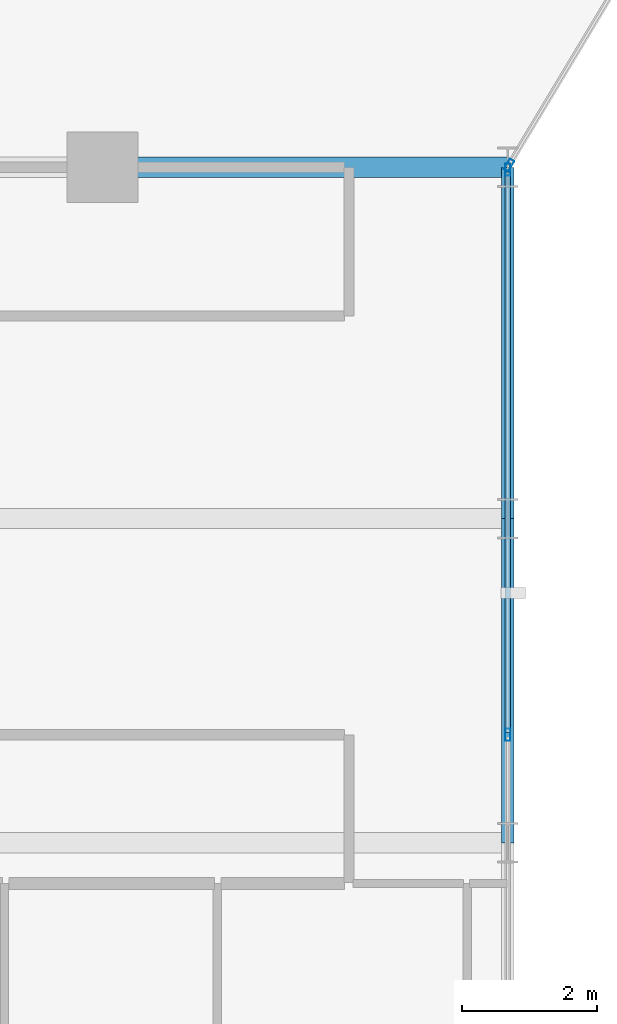
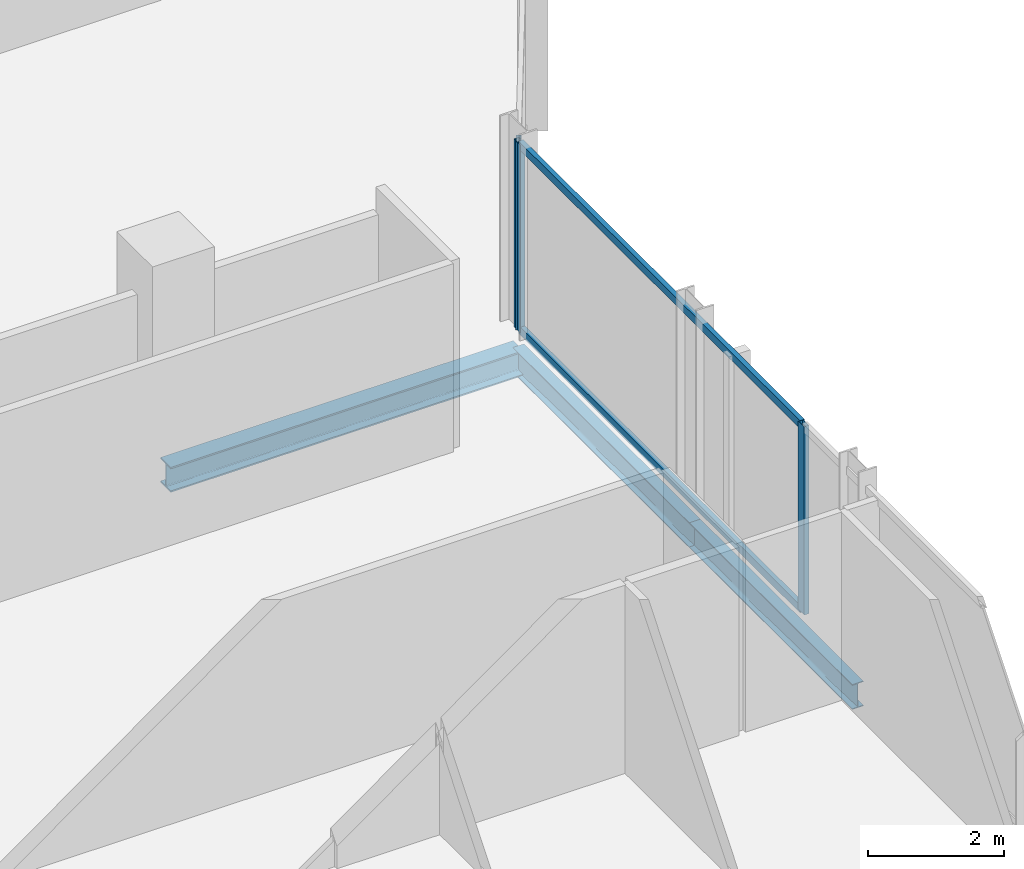
# One storey, part 12 of 29: 5 members, 3 beams, 2 elements without a shape of their own.
"""IFC4 building model written with IfcOpenShell, lengths in metres."""

from ifc_helpers import new_model, si_unit, direction, frame, origin, origin_2d, place, context, subcontext, project, spatial, hollow_rectangle, i_section, extrude, material, layer, layer_set, material_profile, profile_set, type_object, element, aggregate, save


model = new_model("IFC4")

# Units and contexts
model_context = context("Model", 3, precision=1e-05, world=origin(), true_north=direction((0.0, 1.0)))
body_context = subcontext(model_context, "Body", "Model", "MODEL_VIEW")
ifc_project = project(units=[si_unit("LENGTHUNIT", "METRE"), si_unit("AREAUNIT", "SQUARE_METRE"), si_unit("VOLUMEUNIT", "CUBIC_METRE"), si_unit("PLANEANGLEUNIT", "RADIAN"), si_unit("MASSUNIT", "GRAM", prefix="KILO")], contexts=[model_context])

# Site, building, storey
site_placement = place(None, origin())
site = spatial("IfcSite", under=ifc_project, at=site_placement, CompositionType="ELEMENT")
building_placement = place(site_placement, origin())
building = spatial("IfcBuilding", under=site, at=building_placement, Name="Keshet Zoharim Tower", CompositionType="ELEMENT")
storey_placement = place(building_placement, frame((0.0, 0.0, 94.60009765625)))
storey = spatial("IfcBuildingStorey", under=building, at=storey_placement, Name="L22", CompositionType="ELEMENT", Elevation=94.60009765625)

# Beams
ifc_material_1 = material(Name="Steel S355", Category="steel")
ifc_material_profile_1 = material_profile(ifc_material_1, i_section(OverallWidth=0.18994140625, OverallDepth=0.449951171875, WebThickness=0.009521484375, FlangeThickness=0.0146484375, FilletRadius=0.02099609375, at=origin_2d()), Name="IPE450")
ifc_profile_set_1 = profile_set([ifc_material_profile_1], Name="Steel S355")
beam_type_1 = type_object("IfcBeamType", Name="BM-PRI-IP450", PredefinedType="BEAM", material=ifc_profile_set_1)
beam_1_placement = place(storey_placement, frame((57.0, 17.89990234375, -0.5400390625), z_axis=(0.0, 1.0, 0.0), x_axis=(-1.0, 0.0, 0.0)))
element("IfcBeam", 1, at=beam_1_placement, inside=storey, type_object=beam_type_1, Name="L22 Primary Girder Y-015", PredefinedType="BEAM", context=body_context, shape_type="SweptSolid", body=[
    extrude(i_section(OverallWidth=0.18994140625, OverallDepth=0.449951171875, WebThickness=0.009521484375, FlangeThickness=0.0146484375, FilletRadius=0.02099609375, at=origin_2d()), origin(), (0.0, 0.0, 1.0), 4.800048828125),
])
beam_2_placement = place(storey_placement, frame((57.0, 22.699951171875, -0.5400390625), z_axis=(0.0, 1.0, 0.0), x_axis=(-1.0, 0.0, 0.0)))
element("IfcBeam", 2, at=beam_2_placement, inside=storey, type_object=beam_type_1, Name="L22 Primary Girder Y-016", PredefinedType="BEAM", context=body_context, shape_type="SweptSolid", body=[
    extrude(i_section(OverallWidth=0.18994140625, OverallDepth=0.449951171875, WebThickness=0.009521484375, FlangeThickness=0.0146484375, FilletRadius=0.02099609375, at=origin_2d()), origin(), (0.0, 0.0, 1.0), 5.199951171875),
])
ifc_material_profile_2 = material_profile(ifc_material_1, i_section(OverallWidth=0.300048828125, OverallDepth=0.449951171875, WebThickness=0.013916015625, FlangeThickness=0.02587890625, FilletRadius=0.027099609375, at=origin_2d()), Name="HEB450")
ifc_profile_set_2 = profile_set([ifc_material_profile_2], Name="Steel S355")
beam_type_2 = type_object("IfcBeamType", Name="BM-WEB-HB450", PredefinedType="BEAM", material=ifc_profile_set_2)
beam_3_placement = place(storey_placement, frame((51.0, 27.89990234375, -0.5400390625), z_axis=(1.0, 0.0, 0.0), x_axis=(0.0, 1.0, 0.0)))
element("IfcBeam", 3, at=beam_3_placement, inside=storey, type_object=beam_type_2, Name="L22 Primary Girder X-017", PredefinedType="BEAM", context=body_context, shape_type="SweptSolid", body=[
    extrude(i_section(OverallWidth=0.300048828125, OverallDepth=0.449951171875, WebThickness=0.013916015625, FlangeThickness=0.02587890625, FilletRadius=0.027099609375, at=origin_2d()), origin(), (0.0, 0.0, 1.0), 6.0),
])

# Curtain wall, member
ifc_material_2 = material(Name="Aluminium 6063-T6", Category="aluminium")
ifc_layer = layer(ifc_material_2, 0.159912109375)
ifc_layer_set = layer_set([ifc_layer], Name="Aluminium 6063-T6")
curtain_wall_type = type_object("IfcCurtainWallType", Name="CW-SYS-03", PredefinedType="NOTDEFINED", material=ifc_layer_set)
curtain_wall_1_placement = place(storey_placement, origin())
curtain_wall_1 = element("IfcCurtainWall", 4, at=curtain_wall_1_placement, inside=storey, type_object=curtain_wall_type, Name="L22 Unitised Curtain Wall 18", PredefinedType="NOTDEFINED")
ifc_material_profile_3 = material_profile(ifc_material_2, hollow_rectangle(XDim=0.080078125, YDim=0.179931640625, WallThickness=0.00439453125, at=origin_2d()), Name="MUL-80x180")
ifc_profile_set_3 = profile_set([ifc_material_profile_3], Name="Aluminium 6063-T6")
member_type_1 = type_object("IfcMemberType", Name="CWM-M18", PredefinedType="MULLION", material=ifc_profile_set_3)
member_1_placement = place(storey_placement, frame((57.01806640625, 27.929931640625, 0.0), z_axis=(0.0, 0.0, 1.0), x_axis=(0.857501477862, -0.514481501576, 0.0)))
member_1 = element("IfcMember", 5, at=member_1_placement, type_object=member_type_1, Name="CW-03 mullion 2", PredefinedType="MULLION", context=body_context, shape_type="SweptSolid", body=[
    extrude(hollow_rectangle(XDim=0.080078125, YDim=0.179931640625, WallThickness=0.00439453125, at=origin_2d()), origin(), (0.0, 0.0, 1.0), 3.385009765625),
])
aggregate(curtain_wall_1, [member_1])

# Curtain wall, members
curtain_wall_2_placement = place(storey_placement, origin())
curtain_wall_2 = element("IfcCurtainWall", 6, at=curtain_wall_2_placement, inside=storey, type_object=curtain_wall_type, Name="L22 Unitised Curtain Wall 19", PredefinedType="NOTDEFINED")
member_2_placement = place(storey_placement, frame((57.0, 27.864990234375, 0.0), z_axis=(0.0, 0.0, 1.0), x_axis=(1.0, 0.0, 0.0)))
member_2 = element("IfcMember", 7, at=member_2_placement, type_object=member_type_1, Name="CW-03 mullion 1", PredefinedType="MULLION", context=body_context, shape_type="SweptSolid", body=[
    extrude(hollow_rectangle(XDim=0.080078125, YDim=0.179931640625, WallThickness=0.00439453125, at=origin_2d()), origin(), (0.0, 0.0, 1.0), 3.385009765625),
])
member_3_placement = place(storey_placement, frame((57.0, 19.5, 0.0), z_axis=(0.0, 0.0, 1.0), x_axis=(1.0, 0.0, 0.0)))
member_3 = element("IfcMember", 8, at=member_3_placement, type_object=member_type_1, Name="CW-03 mullion 2", PredefinedType="MULLION", context=body_context, shape_type="SweptSolid", body=[
    extrude(hollow_rectangle(XDim=0.080078125, YDim=0.179931640625, WallThickness=0.00439453125, at=origin_2d()), origin(), (0.0, 0.0, 1.0), 3.385009765625),
])
ifc_material_profile_4 = material_profile(ifc_material_2, hollow_rectangle(XDim=0.080078125, YDim=0.139892578125, WallThickness=0.00390625, at=origin_2d()), Name="TRN-80x140")
ifc_profile_set_4 = profile_set([ifc_material_profile_4], Name="Aluminium 6063-T6")
member_type_2 = type_object("IfcMemberType", Name="CWT-T14", PredefinedType="USERDEFINED", material=ifc_profile_set_4)
member_4_placement = place(storey_placement, frame((57.0, 27.830078125, 0.034912109375), z_axis=(0.0, -1.0, 0.0), x_axis=(1.0, 0.0, 0.0)))
member_4 = element("IfcMember", 9, at=member_4_placement, type_object=member_type_2, Name="CW-03 transom 1.1", ObjectType="TRANSOM", PredefinedType="USERDEFINED", context=body_context, shape_type="SweptSolid", body=[
    extrude(hollow_rectangle(XDim=0.080078125, YDim=0.139892578125, WallThickness=0.00390625, at=origin_2d()), origin(), (0.0, 0.0, 1.0), 8.295166015625),
])
member_5_placement = place(storey_placement, frame((57.0, 27.830078125, 3.349853515625), z_axis=(0.0, -1.0, 0.0), x_axis=(1.0, 0.0, 0.0)))
member_5 = element("IfcMember", 10, at=member_5_placement, type_object=member_type_2, Name="CW-03 transom 1.2", ObjectType="TRANSOM", PredefinedType="USERDEFINED", context=body_context, shape_type="SweptSolid", body=[
    extrude(hollow_rectangle(XDim=0.080078125, YDim=0.139892578125, WallThickness=0.00390625, at=origin_2d()), origin(), (0.0, 0.0, 1.0), 8.295166015625),
])
aggregate(curtain_wall_2, [member_2, member_3, member_4, member_5])

save(model, "model.ifc")
